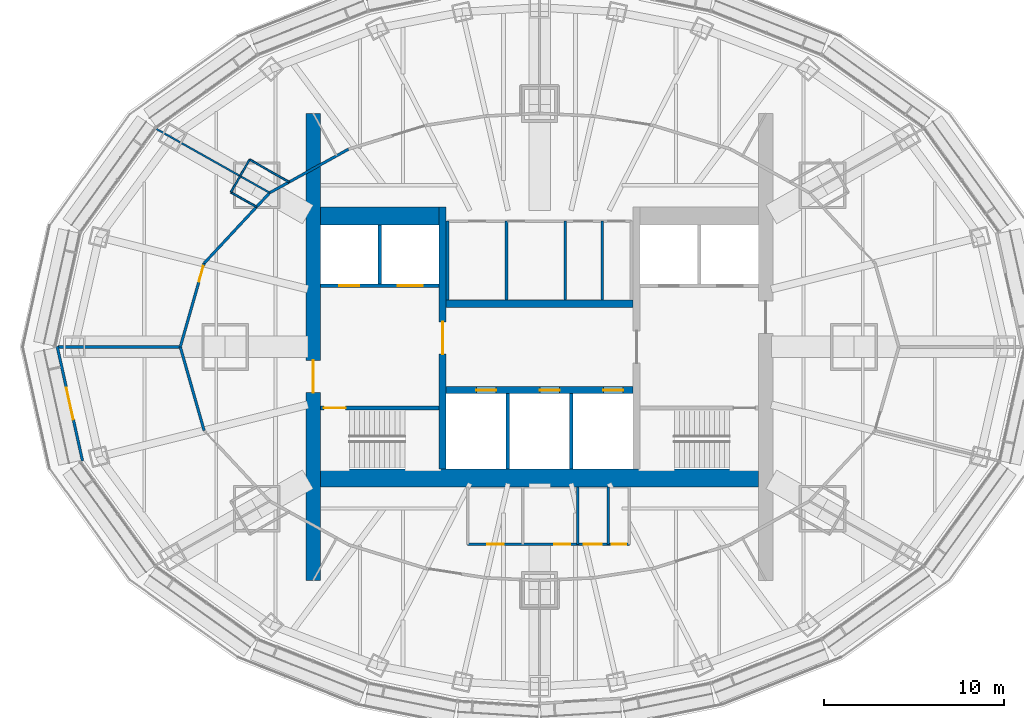
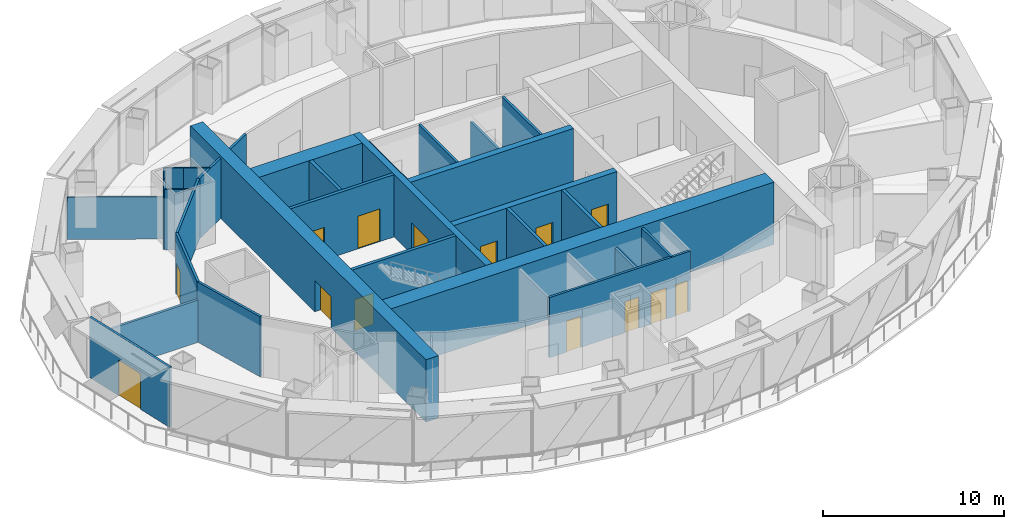
# One storey, part 11 of 17: 31 walls, 14 doors, 14 openings.
"""IFC4 building model written with IfcOpenShell, lengths in metres."""

from ifc_helpers import new_model, si_unit, direction, frame, frame_2d, origin, place, context, subcontext, project, spatial, rectangle, extrude, material, layer, layer_set, type_object, element, fill, save


model = new_model("IFC4")

# Units and contexts
model_context = context("Model", 3, precision=1e-05, world=origin(), true_north=direction((0.0, 1.0)))
body_context = subcontext(model_context, "Body", "Model", "MODEL_VIEW")
ifc_project = project(units=[si_unit("LENGTHUNIT", "METRE"), si_unit("AREAUNIT", "SQUARE_METRE"), si_unit("VOLUMEUNIT", "CUBIC_METRE"), si_unit("PLANEANGLEUNIT", "RADIAN"), si_unit("MASSUNIT", "GRAM", prefix="KILO")], contexts=[model_context])

# Site, building, storey
site_placement = place(None, origin())
site = spatial("IfcSite", under=ifc_project, at=site_placement, CompositionType="ELEMENT")
building_placement = place(site_placement, origin())
building = spatial("IfcBuilding", under=site, at=building_placement, Name="Lantaw Convention Tower", CompositionType="ELEMENT")
storey_placement = place(building_placement, frame((0.0, 0.0, 199.0)))
storey = spatial("IfcBuildingStorey", under=building, at=storey_placement, Name="L46", CompositionType="ELEMENT", Elevation=199.0)

# Walls
ifc_material_1 = material(Name="Fire-rated board casing on steel studs", Category="steel")
ifc_layer_1 = layer(ifc_material_1, 0.10009765625)
ifc_layer_set_1 = layer_set([ifc_layer_1], Name="Casing wall 100 EI 120")
wall_type_1 = type_object("IfcWallType", Name="Casing wall 100 EI 120", PredefinedType="PARTITIONING", material=ifc_layer_set_1)
wall_1_placement = place(storey_placement, frame((-17.1826171875, 8.609375, 0.0), z_axis=(0.0, 0.0, 1.0), x_axis=(0.496214951439, 0.868199701664, 0.0)))
element("IfcWall", 1, at=wall_1_placement, inside=storey, type_object=wall_type_1, Name="Casing wall 100", PredefinedType="PARTITIONING", context=body_context, shape_type="SweptSolid", body=[
    extrude(rectangle(XDim=1.03759765625, YDim=0.10009765625, at=frame_2d((0.518798828125, 0.0))), origin(), (0.0, 0.0, 1.0), 4.050048828125),
])
for number, where, z_axis, x_axis, name in (
    (2, (-16.66162109375, 9.52099609375, 0.0), (0.0, 0.0, 1.0), (0.496189017888, 0.868214523334, 0.0), "Casing wall 100"),
    (3, (-16.140625, 10.4326171875, 0.0), (0.0, 0.0, 1.0), (0.868214523334, -0.496189017888, 0.0), "Casing wall 100"),
):
    element("IfcWall", number, at=place(storey_placement, frame(where, z_axis=z_axis, x_axis=x_axis)), inside=storey, type_object=wall_type_1, Name=name, PredefinedType="PARTITIONING", context=body_context, shape_type="SweptSolid", body=[
        extrude(rectangle(XDim=1.050048828125, YDim=0.10009765625, at=frame_2d((0.52490234375, 0.0))), origin(), (0.0, 0.0, 1.0), 4.050048828125),
    ])
wall_2_placement = place(storey_placement, frame((-15.22900390625, 9.91162109375, 0.0), z_axis=(0.0, 0.0, 1.0), x_axis=(0.868243142124, -0.496138938357, 0.0)))
element("IfcWall", 4, at=wall_2_placement, inside=storey, type_object=wall_type_1, Name="Casing wall 100", PredefinedType="PARTITIONING", context=body_context, shape_type="SweptSolid", body=[
    extrude(rectangle(XDim=1.478271484375, YDim=0.10009765625, at=frame_2d((0.7392578125, 0.0))), origin(), (0.0, 0.0, 1.0), 4.050048828125),
])
wall_3_placement = place(storey_placement, frame((-15.755126953125, 7.793701171875, 0.0), z_axis=(0.0, 0.0, 1.0), x_axis=(-0.868318998063, 0.496006166901, 0.0)))
element("IfcWall", 5, at=wall_3_placement, inside=storey, type_object=wall_type_1, Name="Casing wall 100", PredefinedType="PARTITIONING", context=body_context, shape_type="SweptSolid", body=[
    extrude(rectangle(XDim=0.593994140625, YDim=0.10009765625, at=frame_2d((0.296875, 0.0))), origin(), (0.0, 0.0, 1.0), 4.050048828125),
])
wall_4_placement = place(storey_placement, frame((-16.27099609375, 8.08837890625, 0.0), z_axis=(0.0, 0.0, 1.0), x_axis=(-0.868214523334, 0.496189017888, 0.0)))
element("IfcWall", 6, at=wall_4_placement, inside=storey, type_object=wall_type_1, Name="Casing wall 100", PredefinedType="PARTITIONING", context=body_context, shape_type="SweptSolid", body=[
    extrude(rectangle(XDim=1.050048828125, YDim=0.10009765625, at=frame_2d((0.52490234375, 0.0))), origin(), (0.0, 0.0, 1.0), 4.050048828125),
])
ifc_material_2 = material(Name="Concrete C60/75", Category="concrete")
ifc_layer_2 = layer(ifc_material_2, 1.0)
ifc_layer_set_2 = layer_set([ifc_layer_2], Name="Core wall 1000")
wall_type_2 = type_object("IfcWallType", Name="Core wall 1000", PredefinedType="SHEAR", material=ifc_layer_set_2)
wall_5_placement = place(storey_placement, frame((-12.199951171875, -7.300048828125, 0.0), z_axis=(0.0, 0.0, 1.0), x_axis=(1.0, 0.0, 0.0)))
element("IfcWall", 7, at=wall_5_placement, inside=storey, type_object=wall_type_2, Name="Core wall S", PredefinedType="SHEAR", context=body_context, shape_type="SweptSolid", body=[
    extrude(rectangle(XDim=24.39990234375, YDim=1.0, at=frame_2d((12.199951171875, 0.0))), origin(), (0.0, 0.0, 1.0), 4.199951171875),
])
wall_6_placement = place(storey_placement, frame((-5.60009765625, 7.300048828125, 0.0), z_axis=(0.0, 0.0, 1.0), x_axis=(-1.0, 0.0, 0.0)))
element("IfcWall", 8, at=wall_6_placement, inside=storey, type_object=wall_type_2, Name="Core wall NW", PredefinedType="SHEAR", context=body_context, shape_type="SweptSolid", body=[
    extrude(rectangle(XDim=6.599853515625, YDim=1.0, at=frame_2d((3.2998046875, 0.0))), origin(), (0.0, 0.0, 1.0), 4.199951171875),
])

# Wall, opening, door
ifc_layer_3 = layer(ifc_material_2, 0.199951171875)
ifc_layer_set_3 = layer_set([ifc_layer_3], Name="Core wall 200")
wall_type_3 = type_object("IfcWallType", Name="Core wall 200", PredefinedType="SHEAR", material=ifc_layer_set_3)
wall_7_placement = place(storey_placement, frame((-5.60009765625, -3.39990234375, 0.0), z_axis=(0.0, 0.0, 1.0), x_axis=(-1.0, 0.0, 0.0)))
wall_7 = element("IfcWall", 9, at=wall_7_placement, inside=storey, type_object=wall_type_3, Name="Core wall WS", PredefinedType="SHEAR", context=body_context, shape_type="SweptSolid", body=[
    extrude(rectangle(XDim=6.599853515625, YDim=0.199951171875, at=frame_2d((3.2998046875, 0.0))), origin(), (0.0, 0.0, 1.0), 4.199951171875),
])
opening_1_placement = place(wall_7_placement, frame((5.199951171875, 0.0, 0.0)))
opening_1 = element("IfcOpeningElement", 10, at=opening_1_placement, cuts=wall_7, Name="Opening L46.04", PredefinedType="OPENING", context=body_context, shape_type="SweptSolid", body=[
    extrude(rectangle(XDim=1.199951171875, YDim=2.10009765625, at=frame_2d((0.60009765625, 1.050048828125))), frame((0.0, 0.10986328125, 0.0), z_axis=(0.0, -1.0, 0.0), x_axis=(1.0, 0.0, 0.0)), (0.0, 0.0, 1.0), 0.219970703125),
])
ifc_material_3 = material(Name="Steel, fire rated", Category="steel")
door_type_1 = type_object("IfcDoorType", Name="Stair door FD90", OperationType="SINGLE_SWING_RIGHT", PredefinedType="DOOR", material=ifc_material_3)
door_1_placement = place(opening_1_placement, origin())
door_1 = element("IfcDoor", 11, at=door_1_placement, inside=storey, type_object=door_type_1, Name="Exit stair door", OperationType="SINGLE_SWING_RIGHT", OverallHeight=2.10009765625, OverallWidth=1.199951171875, PredefinedType="DOOR", context=body_context, shape_type="SweptSolid", body=[
    extrude(rectangle(XDim=1.199951171875, YDim=2.10009765625, at=frame_2d((0.60009765625, 1.050048828125))), frame((0.0, 0.02490234375, 0.0), z_axis=(0.0, -1.0, 0.0), x_axis=(1.0, 0.0, 0.0)), (0.0, 0.0, 1.0), 0.050048828125),
])
fill(opening_1, door_1)

ifc_layer_4 = layer(ifc_material_2, 0.39990234375)
ifc_layer_set_4 = layer_set([ifc_layer_4], Name="Core wall 400")
wall_type_4 = type_object("IfcWallType", Name="Core wall 400", PredefinedType="SHEAR", material=ifc_layer_set_4)
wall_8_placement = place(storey_placement, frame((-5.39990234375, 7.800048828125, 0.0), z_axis=(0.0, 0.0, 1.0), x_axis=(0.0, -1.0, 0.0)))
wall_8 = element("IfcWall", 12, at=wall_8_placement, inside=storey, type_object=wall_type_4, Name="Core wall XW", PredefinedType="SHEAR", context=body_context, shape_type="SweptSolid", body=[
    extrude(rectangle(XDim=14.60009765625, YDim=0.39990234375, at=frame_2d((7.300048828125, 0.0))), origin(), (0.0, 0.0, 1.0), 4.199951171875),
])
opening_2_placement = place(wall_8_placement, frame((6.39990234375, 0.0, 0.0)))
opening_2 = element("IfcOpeningElement", 13, at=opening_2_placement, cuts=wall_8, Name="Opening L46.02", PredefinedType="OPENING", context=body_context, shape_type="SweptSolid", body=[
    extrude(rectangle(XDim=1.800048828125, YDim=2.10009765625, at=frame_2d((0.89990234375, 1.050048828125))), frame((0.0, 0.2099609375, 0.0), z_axis=(0.0, -1.0, 0.0), x_axis=(1.0, 0.0, 0.0)), (0.0, 0.0, 1.0), 0.419921875),
])
door_type_2 = type_object("IfcDoorType", Name="Lobby double door FD90", OperationType="DOUBLE_DOOR_DOUBLE_SWING", PredefinedType="DOOR", material=ifc_material_3)
door_2_placement = place(opening_2_placement, origin())
door_2 = element("IfcDoor", 14, at=door_2_placement, inside=storey, type_object=door_type_2, Name="Lift lobby door", OperationType="DOUBLE_DOOR_DOUBLE_SWING", OverallHeight=2.10009765625, OverallWidth=1.800048828125, PredefinedType="DOOR", context=body_context, shape_type="SweptSolid", body=[
    extrude(rectangle(XDim=1.800048828125, YDim=2.10009765625, at=frame_2d((0.89990234375, 1.050048828125))), frame((0.0, 0.02490234375, 0.0), z_axis=(0.0, -1.0, 0.0), x_axis=(1.0, 0.0, 0.0)), (0.0, 0.0, 1.0), 0.050048828125),
])
fill(opening_2, door_2)

# Wall, openings, doors
wall_9_placement = place(storey_placement, frame((-5.199951171875, -2.39990234375, 0.0), z_axis=(0.0, 0.0, 1.0), x_axis=(1.0, 0.0, 0.0)))
wall_9 = element("IfcWall", 15, at=wall_9_placement, inside=storey, type_object=wall_type_4, Name="Core wall BS", PredefinedType="SHEAR", context=body_context, shape_type="SweptSolid", body=[
    extrude(rectangle(XDim=10.39990234375, YDim=0.39990234375, at=frame_2d((5.199951171875, 0.0))), origin(), (0.0, 0.0, 1.0), 4.199951171875),
])
opening_3_placement = place(wall_9_placement, frame((1.683349609375, 0.0, 0.0)))
opening_3 = element("IfcOpeningElement", 16, at=opening_3_placement, cuts=wall_9, Name="Opening L46.07", PredefinedType="OPENING", context=body_context, shape_type="SweptSolid", body=[
    extrude(rectangle(XDim=1.10009765625, YDim=2.199951171875, at=frame_2d((0.550048828125, 1.10009765625))), frame((0.0, 0.2099609375, 0.0), z_axis=(0.0, -1.0, 0.0), x_axis=(1.0, 0.0, 0.0)), (0.0, 0.0, 1.0), 0.419921875),
])
opening_4_placement = place(wall_9_placement, frame((5.216796875, 0.0, 0.0)))
opening_4 = element("IfcOpeningElement", 17, at=opening_4_placement, cuts=wall_9, Name="Opening L46.08", PredefinedType="OPENING", context=body_context, shape_type="SweptSolid", body=[
    extrude(rectangle(XDim=1.10009765625, YDim=2.199951171875, at=frame_2d((0.550048828125, 1.10009765625))), frame((0.0, 0.2099609375, 0.0), z_axis=(0.0, -1.0, 0.0), x_axis=(1.0, 0.0, 0.0)), (0.0, 0.0, 1.0), 0.419921875),
])
opening_5_placement = place(wall_9_placement, frame((8.75, 0.0, 0.0)))
opening_5 = element("IfcOpeningElement", 18, at=opening_5_placement, cuts=wall_9, Name="Opening L46.09", PredefinedType="OPENING", context=body_context, shape_type="SweptSolid", body=[
    extrude(rectangle(XDim=1.10009765625, YDim=2.199951171875, at=frame_2d((0.550048828125, 1.10009765625))), frame((0.0, 0.2099609375, 0.0), z_axis=(0.0, -1.0, 0.0), x_axis=(1.0, 0.0, 0.0)), (0.0, 0.0, 1.0), 0.419921875),
])
ifc_material_4 = material(Name="Stainless steel", Category="steel")
door_type_3 = type_object("IfcDoorType", Name="Lift landing door 1100", OperationType="DOUBLE_DOOR_SLIDING", PredefinedType="DOOR", material=ifc_material_4)
door_3_placement = place(opening_3_placement, origin())
door_3 = element("IfcDoor", 19, at=door_3_placement, inside=storey, type_object=door_type_3, Name="Lift landing door S1", OperationType="DOUBLE_DOOR_SLIDING", OverallHeight=2.199951171875, OverallWidth=1.10009765625, PredefinedType="DOOR", context=body_context, shape_type="SweptSolid", body=[
    extrude(rectangle(XDim=1.10009765625, YDim=2.199951171875, at=frame_2d((0.550048828125, 1.10009765625))), frame((0.0, 0.02490234375, 0.0), z_axis=(0.0, -1.0, 0.0), x_axis=(1.0, 0.0, 0.0)), (0.0, 0.0, 1.0), 0.050048828125),
])
fill(opening_3, door_3)
door_4_placement = place(opening_4_placement, origin())
door_4 = element("IfcDoor", 20, at=door_4_placement, inside=storey, type_object=door_type_3, Name="Lift landing door S2", OperationType="DOUBLE_DOOR_SLIDING", OverallHeight=2.199951171875, OverallWidth=1.10009765625, PredefinedType="DOOR", context=body_context, shape_type="SweptSolid", body=[
    extrude(rectangle(XDim=1.10009765625, YDim=2.199951171875, at=frame_2d((0.550048828125, 1.10009765625))), frame((0.0, 0.02490234375, 0.0), z_axis=(0.0, -1.0, 0.0), x_axis=(1.0, 0.0, 0.0)), (0.0, 0.0, 1.0), 0.050048828125),
])
fill(opening_4, door_4)
door_5_placement = place(opening_5_placement, origin())
door_5 = element("IfcDoor", 21, at=door_5_placement, inside=storey, type_object=door_type_3, Name="Lift landing door S3", OperationType="DOUBLE_DOOR_SLIDING", OverallHeight=2.199951171875, OverallWidth=1.10009765625, PredefinedType="DOOR", context=body_context, shape_type="SweptSolid", body=[
    extrude(rectangle(XDim=1.10009765625, YDim=2.199951171875, at=frame_2d((0.550048828125, 1.10009765625))), frame((0.0, 0.02490234375, 0.0), z_axis=(0.0, -1.0, 0.0), x_axis=(1.0, 0.0, 0.0)), (0.0, 0.0, 1.0), 0.050048828125),
])
fill(opening_5, door_5)

# Wall
wall_10_placement = place(storey_placement, frame((5.199951171875, 2.39990234375, 0.0), z_axis=(0.0, 0.0, 1.0), x_axis=(-1.0, 0.0, 0.0)))
element("IfcWall", 22, at=wall_10_placement, inside=storey, type_object=wall_type_4, Name="Core wall BN", PredefinedType="SHEAR", context=body_context, shape_type="SweptSolid", body=[
    extrude(rectangle(XDim=10.39990234375, YDim=0.39990234375, at=frame_2d((5.199951171875, 0.0))), origin(), (0.0, 0.0, 1.0), 4.199951171875),
])

# Wall, opening, door
ifc_layer_5 = layer(ifc_material_2, 0.800048828125)
ifc_layer_set_5 = layer_set([ifc_layer_5], Name="Core wall 800")
wall_type_5 = type_object("IfcWallType", Name="Core wall 800", PredefinedType="SHEAR", material=ifc_layer_set_5)
wall_11_placement = place(storey_placement, frame((-12.60009765625, 13.0, 0.0), z_axis=(0.0, 0.0, 1.0), x_axis=(0.0, -1.0, 0.0)))
wall_11 = element("IfcWall", 23, at=wall_11_placement, inside=storey, type_object=wall_type_5, Name="Core wall W", PredefinedType="SHEAR", context=body_context, shape_type="SweptSolid", body=[
    extrude(rectangle(XDim=26.0, YDim=0.800048828125, at=frame_2d((13.0, 0.0))), origin(), (0.0, 0.0, 1.0), 4.199951171875),
])
opening_6_placement = place(wall_11_placement, frame((13.75, 0.0, 0.0)))
opening_6 = element("IfcOpeningElement", 24, at=opening_6_placement, cuts=wall_11, Name="Opening L46.06", PredefinedType="OPENING", context=body_context, shape_type="SweptSolid", body=[
    extrude(rectangle(XDim=1.800048828125, YDim=2.10009765625, at=frame_2d((0.89990234375, 1.050048828125))), frame((0.0, 0.409912109375, 0.0), z_axis=(0.0, -1.0, 0.0), x_axis=(1.0, 0.0, 0.0)), (0.0, 0.0, 1.0), 0.820068359375),
])
door_6_placement = place(opening_6_placement, origin())
door_6 = element("IfcDoor", 25, at=door_6_placement, inside=storey, type_object=door_type_2, Name="Firefighting lobby door", OperationType="DOUBLE_DOOR_DOUBLE_SWING", OverallHeight=2.10009765625, OverallWidth=1.800048828125, PredefinedType="DOOR", context=body_context, shape_type="SweptSolid", body=[
    extrude(rectangle(XDim=1.800048828125, YDim=2.10009765625, at=frame_2d((0.89990234375, 1.050048828125))), frame((0.0, 0.02490234375, 0.0), z_axis=(0.0, -1.0, 0.0), x_axis=(1.0, 0.0, 0.0)), (0.0, 0.0, 1.0), 0.050048828125),
])
fill(opening_6, door_6)

# Walls
ifc_material_5 = material(Name="Gypsum board on steel studs, fire rated", Category="steel")
ifc_layer_6 = layer(ifc_material_5, 0.14990234375)
ifc_layer_set_6 = layer_set([ifc_layer_6], Name="Corridor wall 150 EI 60")
wall_type_6 = type_object("IfcWallType", Name="Corridor wall 150 EI 60", PredefinedType="PARTITIONING", material=ifc_layer_set_6)
wall_12_placement = place(storey_placement, frame((-10.6328125, 11.010498046875, 0.0), z_axis=(0.0, 0.0, 1.0), x_axis=(-0.875044572696, -0.484042349176, 0.0)))
element("IfcWall", 26, at=wall_12_placement, inside=storey, type_object=wall_type_6, Name="Corridor wall 150", PredefinedType="PARTITIONING", context=body_context, shape_type="SweptSolid", body=[
    extrude(rectangle(XDim=5.0146484375, YDim=0.14990234375, at=frame_2d((2.50732421875, 0.0))), origin(), (0.0, 0.0, 1.0), 4.050048828125),
])
wall_13_placement = place(storey_placement, frame((-15.020751953125, 8.583251953125, 0.0), z_axis=(0.0, 0.0, 1.0), x_axis=(-0.681014838837, -0.732269615158, 0.0)))
element("IfcWall", 27, at=wall_13_placement, inside=storey, type_object=wall_type_6, Name="Corridor wall 150", PredefinedType="PARTITIONING", context=body_context, shape_type="SweptSolid", body=[
    extrude(rectangle(XDim=5.363525390625, YDim=0.14990234375, at=frame_2d((2.681640625, 0.0))), origin(), (0.0, 0.0, 1.0), 4.050048828125),
])

# Wall, opening, door
wall_14_placement = place(storey_placement, frame((-18.67333984375, 4.65576171875, 0.0), z_axis=(0.0, 0.0, 1.0), x_axis=(-0.274041669067, -0.961717819121, 0.0)))
wall_14 = element("IfcWall", 28, at=wall_14_placement, inside=storey, type_object=wall_type_6, Name="Corridor wall 150", PredefinedType="PARTITIONING", context=body_context, shape_type="SweptSolid", body=[
    extrude(rectangle(XDim=4.841064453125, YDim=0.14990234375, at=frame_2d((2.42041015625, 0.0))), origin(), (0.0, 0.0, 1.0), 4.050048828125),
])
opening_7_placement = place(wall_14_placement, frame((0.14990234375, 0.0, 0.0)))
opening_7 = element("IfcOpeningElement", 29, at=opening_7_placement, cuts=wall_14, Name="Opening L46.25", PredefinedType="OPENING", context=body_context, shape_type="SweptSolid", body=[
    extrude(rectangle(XDim=0.89990234375, YDim=2.10009765625, at=frame_2d((0.449951171875, 1.050048828125))), frame((0.0, 0.0849609375, 0.0), z_axis=(0.0, -1.0, 0.0), x_axis=(1.0, 0.0, 0.0)), (0.0, 0.0, 1.0), 0.169921875),
])
door_type_4 = type_object("IfcDoorType", Name="Office door 900 FD30", OperationType="SINGLE_SWING_LEFT", PredefinedType="DOOR", material=ifc_material_3)
door_7_placement = place(opening_7_placement, origin())
door_7 = element("IfcDoor", 30, at=door_7_placement, inside=storey, type_object=door_type_4, Name="Director office door", OperationType="SINGLE_SWING_LEFT", OverallHeight=2.10009765625, OverallWidth=0.89990234375, PredefinedType="DOOR", context=body_context, shape_type="SweptSolid", body=[
    extrude(rectangle(XDim=0.89990234375, YDim=2.10009765625, at=frame_2d((0.449951171875, 1.050048828125))), frame((0.0, 0.02490234375, 0.0), z_axis=(0.0, -1.0, 0.0), x_axis=(1.0, 0.0, 0.0)), (0.0, 0.0, 1.0), 0.050048828125),
])
fill(opening_7, door_7)

# Wall
wall_15_placement = place(storey_placement, frame((-20.0, 0.0, 0.0), z_axis=(0.0, 0.0, 1.0), x_axis=(0.274041669067, -0.961717819121, 0.0)))
element("IfcWall", 31, at=wall_15_placement, inside=storey, type_object=wall_type_6, Name="Corridor wall 150", PredefinedType="PARTITIONING", context=body_context, shape_type="SweptSolid", body=[
    extrude(rectangle(XDim=4.841064453125, YDim=0.14990234375, at=frame_2d((2.42041015625, 0.0))), origin(), (0.0, 0.0, 1.0), 4.050048828125),
])

# Wall, opening, door
ifc_material_6 = material(Name="Aluminium framed glazing", Category="aluminium")
ifc_layer_7 = layer(ifc_material_6, 0.14990234375)
ifc_layer_set_7 = layer_set([ifc_layer_7], Name="Glazed entrance screen 150")
wall_type_7 = type_object("IfcWallType", Name="Glazed entrance screen 150", PredefinedType="ELEMENTEDWALL", material=ifc_layer_set_7)
wall_16_placement = place(storey_placement, frame((-26.853515625, 0.032470703125, 0.0), z_axis=(0.0, 0.0, 1.0), x_axis=(0.215885915817, -0.976418594329, 0.0)))
wall_16 = element("IfcWall", 32, at=wall_16_placement, inside=storey, type_object=wall_type_7, Name="Glazed entrance screen", PredefinedType="ELEMENTEDWALL", context=body_context, shape_type="SweptSolid", body=[
    extrude(rectangle(XDim=6.5341796875, YDim=0.14990234375, at=frame_2d((3.26708984375, 0.0))), origin(), (0.0, 0.0, 1.0), 4.050048828125),
])
opening_8_placement = place(wall_16_placement, frame((2.3671875, 0.0, 0.0)))
opening_8 = element("IfcOpeningElement", 33, at=opening_8_placement, cuts=wall_16, Name="Opening L46.E12", PredefinedType="OPENING", context=body_context, shape_type="SweptSolid", body=[
    extrude(rectangle(XDim=1.800048828125, YDim=2.39990234375, at=frame_2d((0.89990234375, 1.199951171875))), frame((0.0, 0.0849609375, 0.0), z_axis=(0.0, -1.0, 0.0), x_axis=(1.0, 0.0, 0.0)), (0.0, 0.0, 1.0), 0.169921875),
])
ifc_material_7 = material(Name="Aluminium and glass", Category="aluminium")
door_type_5 = type_object("IfcDoorType", Name="Terrace door 1800", OperationType="DOUBLE_DOOR_DOUBLE_SWING", PredefinedType="DOOR", material=ifc_material_7)
door_8_placement = place(opening_8_placement, origin())
door_8 = element("IfcDoor", 34, at=door_8_placement, inside=storey, type_object=door_type_5, Name="Terrace door", OperationType="DOUBLE_DOOR_DOUBLE_SWING", OverallHeight=2.39990234375, OverallWidth=1.800048828125, PredefinedType="DOOR", context=body_context, shape_type="SweptSolid", body=[
    extrude(rectangle(XDim=1.800048828125, YDim=2.39990234375, at=frame_2d((0.89990234375, 1.199951171875))), frame((0.0, 0.02490234375, 0.0), z_axis=(0.0, -1.0, 0.0), x_axis=(1.0, 0.0, 0.0)), (0.0, 0.0, 1.0), 0.050048828125),
])
fill(opening_8, door_8)

# Wall
ifc_material_8 = material(Name="Gypsum board on steel studs, acoustic", Category="steel")
ifc_layer_8 = layer(ifc_material_8, 0.10009765625)
ifc_layer_set_8 = layer_set([ifc_layer_8], Name="Office partition 100")
wall_type_8 = type_object("IfcWallType", Name="Office partition 100", PredefinedType="PARTITIONING", material=ifc_layer_set_8)
wall_17_placement = place(storey_placement, frame((-21.3583984375, 12.149658203125, 0.0), z_axis=(0.0, 0.0, 1.0), x_axis=(0.871488555694, -0.490415841195, 0.0)))
element("IfcWall", 35, at=wall_17_placement, inside=storey, type_object=wall_type_8, Name="Office partition 100", PredefinedType="PARTITIONING", context=body_context, shape_type="SweptSolid", body=[
    extrude(rectangle(XDim=7.272216796875, YDim=0.10009765625, at=frame_2d((3.63623046875, 0.0))), origin(), (0.0, 0.0, 1.0), 2.85009765625),
])

# Wall, openings, doors
ifc_material_9 = material(Name="Concrete blockwork, fire rated", Category="masonry")
ifc_layer_9 = layer(ifc_material_9, 0.199951171875)
ifc_layer_set_9 = layer_set([ifc_layer_9], Name="Shaft wall 200")
wall_type_9 = type_object("IfcWallType", Name="Shaft wall 200", PredefinedType="SOLIDWALL", material=ifc_layer_set_9)
wall_18_placement = place(storey_placement, frame((-12.199951171875, 3.39990234375, 0.0), z_axis=(0.0, 0.0, 1.0), x_axis=(1.0, 0.0, 0.0)))
wall_18 = element("IfcWall", 36, at=wall_18_placement, inside=storey, type_object=wall_type_9, Name="Shaft wall WN", PredefinedType="SOLIDWALL", context=body_context, shape_type="SweptSolid", body=[
    extrude(rectangle(XDim=6.599853515625, YDim=0.199951171875, at=frame_2d((3.2998046875, 0.0))), origin(), (0.0, 0.0, 1.0), 4.199951171875),
])
opening_9_placement = place(wall_18_placement, frame((1.050048828125, 0.0, 0.0)))
opening_9 = element("IfcOpeningElement", 37, at=opening_9_placement, cuts=wall_18, Name="Opening L46.10", PredefinedType="OPENING", context=body_context, shape_type="SweptSolid", body=[
    extrude(rectangle(XDim=1.10009765625, YDim=2.199951171875, at=frame_2d((0.550048828125, 1.10009765625))), frame((0.0, 0.10986328125, 0.0), z_axis=(0.0, -1.0, 0.0), x_axis=(1.0, 0.0, 0.0)), (0.0, 0.0, 1.0), 0.219970703125),
])
opening_10_placement = place(wall_18_placement, frame((4.300048828125, 0.0, 0.0)))
opening_10 = element("IfcOpeningElement", 38, at=opening_10_placement, cuts=wall_18, Name="Opening L46.11", PredefinedType="OPENING", context=body_context, shape_type="SweptSolid", body=[
    extrude(rectangle(XDim=1.39990234375, YDim=2.199951171875, at=frame_2d((0.699951171875, 1.10009765625))), frame((0.0, 0.10986328125, 0.0), z_axis=(0.0, -1.0, 0.0), x_axis=(1.0, 0.0, 0.0)), (0.0, 0.0, 1.0), 0.219970703125),
])
door_9_placement = place(opening_9_placement, origin())
door_9 = element("IfcDoor", 39, at=door_9_placement, inside=storey, type_object=door_type_3, Name="Lift landing door FF1", OperationType="DOUBLE_DOOR_SLIDING", OverallHeight=2.199951171875, OverallWidth=1.10009765625, PredefinedType="DOOR", context=body_context, shape_type="SweptSolid", body=[
    extrude(rectangle(XDim=1.10009765625, YDim=2.199951171875, at=frame_2d((0.550048828125, 1.10009765625))), frame((0.0, 0.02490234375, 0.0), z_axis=(0.0, -1.0, 0.0), x_axis=(1.0, 0.0, 0.0)), (0.0, 0.0, 1.0), 0.050048828125),
])
fill(opening_9, door_9)
door_type_6 = type_object("IfcDoorType", Name="Lift landing door 1400", OperationType="DOUBLE_DOOR_SLIDING", PredefinedType="DOOR", material=ifc_material_4)
door_10_placement = place(opening_10_placement, origin())
door_10 = element("IfcDoor", 40, at=door_10_placement, inside=storey, type_object=door_type_6, Name="Lift landing door SV1", OperationType="DOUBLE_DOOR_SLIDING", OverallHeight=2.199951171875, OverallWidth=1.39990234375, PredefinedType="DOOR", context=body_context, shape_type="SweptSolid", body=[
    extrude(rectangle(XDim=1.39990234375, YDim=2.199951171875, at=frame_2d((0.699951171875, 1.10009765625))), frame((0.0, 0.02490234375, 0.0), z_axis=(0.0, -1.0, 0.0), x_axis=(1.0, 0.0, 0.0)), (0.0, 0.0, 1.0), 0.050048828125),
])
fill(opening_10, door_10)

# Walls
wall_19_placement = place(storey_placement, frame((-8.89990234375, 3.5, 0.0), z_axis=(0.0, 0.0, 1.0), x_axis=(0.0, 1.0, 0.0)))
element("IfcWall", 41, at=wall_19_placement, inside=storey, type_object=wall_type_9, Name="Shaft wall WD", PredefinedType="SOLIDWALL", context=body_context, shape_type="SweptSolid", body=[
    extrude(rectangle(XDim=3.300048828125, YDim=0.199951171875, at=frame_2d((1.64990234375, 0.0))), origin(), (0.0, 0.0, 1.0), 4.199951171875),
])
ifc_layer_10 = layer(ifc_material_9, 0.199951171875)
ifc_layer_set_10 = layer_set([ifc_layer_10], Name="Shaft wall 200 load-bearing")
wall_type_10 = type_object("IfcWallType", Name="Shaft wall 200 load-bearing", PredefinedType="SOLIDWALL", material=ifc_layer_set_10)
for number, where, z_axis, x_axis, name in (
    (42, (-1.7666015625, -2.60009765625, 0.0), (0.0, 0.0, 1.0), (0.0, -1.0, 0.0), "Shaft wall DS1"),
    (43, (1.7666015625, -2.60009765625, 0.0), (0.0, 0.0, 1.0), (0.0, -1.0, 0.0), "Shaft wall DS2"),
):
    element("IfcWall", number, at=place(storey_placement, frame(where, z_axis=z_axis, x_axis=x_axis)), inside=storey, type_object=wall_type_10, Name=name, PredefinedType="SOLIDWALL", context=body_context, shape_type="SweptSolid", body=[
        extrude(rectangle(XDim=4.199951171875, YDim=0.199951171875, at=frame_2d((2.10009765625, 0.0))), origin(), (0.0, 0.0, 1.0), 4.199951171875),
    ])
ifc_layer_11 = layer(ifc_material_5, 0.14990234375)
ifc_layer_set_11 = layer_set([ifc_layer_11], Name="Tenant separation wall 150 EI 60")
wall_type_11 = type_object("IfcWallType", Name="Tenant separation wall 150 EI 60", PredefinedType="PARTITIONING", material=ifc_layer_set_11)
wall_20_placement = place(storey_placement, frame((-26.82080078125, 0.0, 0.0), z_axis=(0.0, 0.0, 1.0), x_axis=(1.0, 0.0, 0.0)))
element("IfcWall", 44, at=wall_20_placement, inside=storey, type_object=wall_type_11, Name="Tenant separation wall 150", PredefinedType="PARTITIONING", context=body_context, shape_type="SweptSolid", body=[
    extrude(rectangle(XDim=6.82080078125, YDim=0.14990234375, at=frame_2d((3.410400390625, 0.0))), origin(), (0.0, 0.0, 1.0), 2.85009765625),
])
ifc_material_10 = material(Name="Concrete blockwork", Category="masonry")
ifc_layer_12 = layer(ifc_material_10, 0.14990234375)
ifc_layer_set_12 = layer_set([ifc_layer_12], Name="WC wall 150")
wall_type_12 = type_object("IfcWallType", Name="WC wall 150", PredefinedType="SOLIDWALL", material=ifc_layer_set_12)
for number, where, z_axis, x_axis, name in (
    (45, (-5.1201171875, 2.60009765625, 0.0), (0.0, 0.0, 1.0), (0.0, 1.0, 0.0), "WC wall 150"),
    (46, (-1.84326171875, 2.60009765625, 0.0), (0.0, 0.0, 1.0), (0.0, 1.0, 0.0), "WC wall 150"),
):
    element("IfcWall", number, at=place(storey_placement, frame(where, z_axis=z_axis, x_axis=x_axis)), inside=storey, type_object=wall_type_12, Name=name, PredefinedType="SOLIDWALL", context=body_context, shape_type="SweptSolid", body=[
        extrude(rectangle(XDim=4.39990234375, YDim=0.14990234375, at=frame_2d((2.199951171875, 0.0))), origin(), (0.0, 0.0, 1.0), 4.050048828125),
    ])
wall_21_placement = place(storey_placement, frame((1.43359375, 2.60009765625, 0.0), z_axis=(0.0, 0.0, 1.0), x_axis=(0.0, 1.0, 0.0)))
element("IfcWall", 47, at=wall_21_placement, inside=storey, type_object=wall_type_12, Name="WC wall 150", PredefinedType="SOLIDWALL", context=body_context, shape_type="SweptSolid", body=[
    extrude(rectangle(XDim=4.39990234375, YDim=0.14990234375, at=frame_2d((2.199951171875, 0.0))), origin(), (0.0, 0.0, 1.0), 3.107666015625),
])
wall_22_placement = place(storey_placement, frame((3.481689453125, 2.60009765625, 0.0), z_axis=(0.0, 0.0, 1.0), x_axis=(0.0, 1.0, 0.0)))
element("IfcWall", 48, at=wall_22_placement, inside=storey, type_object=wall_type_12, Name="WC wall 150", PredefinedType="SOLIDWALL", context=body_context, shape_type="SweptSolid", body=[
    extrude(rectangle(XDim=4.39990234375, YDim=0.14990234375, at=frame_2d((2.199951171875, 0.0))), origin(), (0.0, 0.0, 1.0), 4.050048828125),
])

# Wall, openings, doors
wall_23_placement = place(storey_placement, frame((-4.0, -10.987060546875, 0.0), z_axis=(0.0, 0.0, 1.0), x_axis=(1.0, 0.0, 0.0)))
wall_23 = element("IfcWall", 49, at=wall_23_placement, inside=storey, type_object=wall_type_12, Name="WC wall 150", PredefinedType="SOLIDWALL", context=body_context, shape_type="SweptSolid", body=[
    extrude(rectangle(XDim=9.0, YDim=0.14990234375, at=frame_2d((4.5, 0.0))), origin(), (0.0, 0.0, 1.0), 4.050048828125),
])
opening_11_placement = place(wall_23_placement, frame((1.10009765625, 0.0, 0.0)))
opening_11 = element("IfcOpeningElement", 50, at=opening_11_placement, cuts=wall_23, Name="Opening L46.18", PredefinedType="OPENING", context=body_context, shape_type="SweptSolid", body=[
    extrude(rectangle(XDim=0.89990234375, YDim=2.10009765625, at=frame_2d((0.449951171875, 1.050048828125))), frame((0.0, 0.0849609375, 0.0), z_axis=(0.0, -1.0, 0.0), x_axis=(1.0, 0.0, 0.0)), (0.0, 0.0, 1.0), 0.169921875),
])
opening_12_placement = place(wall_23_placement, frame((4.81005859375, 0.0, 0.0)))
opening_12 = element("IfcOpeningElement", 51, at=opening_12_placement, cuts=wall_23, Name="Opening L46.19", PredefinedType="OPENING", context=body_context, shape_type="SweptSolid", body=[
    extrude(rectangle(XDim=0.89990234375, YDim=2.10009765625, at=frame_2d((0.449951171875, 1.050048828125))), frame((0.0, 0.0849609375, 0.0), z_axis=(0.0, -1.0, 0.0), x_axis=(1.0, 0.0, 0.0)), (0.0, 0.0, 1.0), 0.169921875),
])
opening_13_placement = place(wall_23_placement, frame((6.469970703125, 0.0, 0.0)))
opening_13 = element("IfcOpeningElement", 52, at=opening_13_placement, cuts=wall_23, Name="Opening L46.20", PredefinedType="OPENING", context=body_context, shape_type="SweptSolid", body=[
    extrude(rectangle(XDim=1.0, YDim=2.10009765625, at=frame_2d((0.5, 1.050048828125))), frame((0.0, 0.0849609375, 0.0), z_axis=(0.0, -1.0, 0.0), x_axis=(1.0, 0.0, 0.0)), (0.0, 0.0, 1.0), 0.169921875),
])
opening_14_placement = place(wall_23_placement, frame((8.030029296875, 0.0, 0.0)))
opening_14 = element("IfcOpeningElement", 53, at=opening_14_placement, cuts=wall_23, Name="Opening L46.21", PredefinedType="OPENING", context=body_context, shape_type="SweptSolid", body=[
    extrude(rectangle(XDim=0.800048828125, YDim=2.10009765625, at=frame_2d((0.39990234375, 1.050048828125))), frame((0.0, 0.0849609375, 0.0), z_axis=(0.0, -1.0, 0.0), x_axis=(1.0, 0.0, 0.0)), (0.0, 0.0, 1.0), 0.169921875),
])
ifc_material_11 = material(Name="Timber", Category="wood")
door_type_7 = type_object("IfcDoorType", Name="Accessible WC door 1000", OperationType="SINGLE_SWING_LEFT", PredefinedType="DOOR", material=ifc_material_11)
door_11_placement = place(opening_13_placement, origin())
door_11 = element("IfcDoor", 54, at=door_11_placement, inside=storey, type_object=door_type_7, Name="Accessible WC door", OperationType="SINGLE_SWING_LEFT", OverallHeight=2.10009765625, OverallWidth=1.0, PredefinedType="DOOR", context=body_context, shape_type="SweptSolid", body=[
    extrude(rectangle(XDim=1.0, YDim=2.10009765625, at=frame_2d((0.5, 1.050048828125))), frame((0.0, 0.02490234375, 0.0), z_axis=(0.0, -1.0, 0.0), x_axis=(1.0, 0.0, 0.0)), (0.0, 0.0, 1.0), 0.050048828125),
])
fill(opening_13, door_11)
door_type_8 = type_object("IfcDoorType", Name="WC door 800", OperationType="SINGLE_SWING_LEFT", PredefinedType="DOOR", material=ifc_material_11)
door_12_placement = place(opening_14_placement, origin())
door_12 = element("IfcDoor", 55, at=door_12_placement, inside=storey, type_object=door_type_8, Name="Pantry door", OperationType="SINGLE_SWING_LEFT", OverallHeight=2.10009765625, OverallWidth=0.800048828125, PredefinedType="DOOR", context=body_context, shape_type="SweptSolid", body=[
    extrude(rectangle(XDim=0.800048828125, YDim=2.10009765625, at=frame_2d((0.39990234375, 1.050048828125))), frame((0.0, 0.02490234375, 0.0), z_axis=(0.0, -1.0, 0.0), x_axis=(1.0, 0.0, 0.0)), (0.0, 0.0, 1.0), 0.050048828125),
])
fill(opening_14, door_12)
door_type_9 = type_object("IfcDoorType", Name="WC door 900", OperationType="SINGLE_SWING_LEFT", PredefinedType="DOOR", material=ifc_material_11)
door_13_placement = place(opening_11_placement, origin())
door_13 = element("IfcDoor", 56, at=door_13_placement, inside=storey, type_object=door_type_9, Name="Female WC door", OperationType="SINGLE_SWING_LEFT", OverallHeight=2.10009765625, OverallWidth=0.89990234375, PredefinedType="DOOR", context=body_context, shape_type="SweptSolid", body=[
    extrude(rectangle(XDim=0.89990234375, YDim=2.10009765625, at=frame_2d((0.449951171875, 1.050048828125))), frame((0.0, 0.02490234375, 0.0), z_axis=(0.0, -1.0, 0.0), x_axis=(1.0, 0.0, 0.0)), (0.0, 0.0, 1.0), 0.050048828125),
])
fill(opening_11, door_13)
door_14_placement = place(opening_12_placement, origin())
door_14 = element("IfcDoor", 57, at=door_14_placement, inside=storey, type_object=door_type_9, Name="Male WC door", OperationType="SINGLE_SWING_LEFT", OverallHeight=2.10009765625, OverallWidth=0.89990234375, PredefinedType="DOOR", context=body_context, shape_type="SweptSolid", body=[
    extrude(rectangle(XDim=0.89990234375, YDim=2.10009765625, at=frame_2d((0.449951171875, 1.050048828125))), frame((0.0, 0.02490234375, 0.0), z_axis=(0.0, -1.0, 0.0), x_axis=(1.0, 0.0, 0.0)), (0.0, 0.0, 1.0), 0.050048828125),
])
fill(opening_12, door_14)

# Walls
wall_24_placement = place(storey_placement, frame((2.1201171875, -7.800048828125, 0.0), z_axis=(0.0, 0.0, 1.0), x_axis=(0.0, -1.0, 0.0)))
element("IfcWall", 58, at=wall_24_placement, inside=storey, type_object=wall_type_12, Name="WC wall 150", PredefinedType="SOLIDWALL", context=body_context, shape_type="SweptSolid", body=[
    extrude(rectangle(XDim=3.18701171875, YDim=0.14990234375, at=frame_2d((1.593505859375, 0.0))), origin(), (0.0, 0.0, 1.0), 3.29296875),
])
wall_25_placement = place(storey_placement, frame((3.830078125, -7.800048828125, 0.0), z_axis=(0.0, 0.0, 1.0), x_axis=(0.0, -1.0, 0.0)))
element("IfcWall", 59, at=wall_25_placement, inside=storey, type_object=wall_type_12, Name="WC wall 150", PredefinedType="SOLIDWALL", context=body_context, shape_type="SweptSolid", body=[
    extrude(rectangle(XDim=3.18701171875, YDim=0.14990234375, at=frame_2d((1.593505859375, 0.0))), origin(), (0.0, 0.0, 1.0), 4.050048828125),
])

save(model, "model.ifc")
